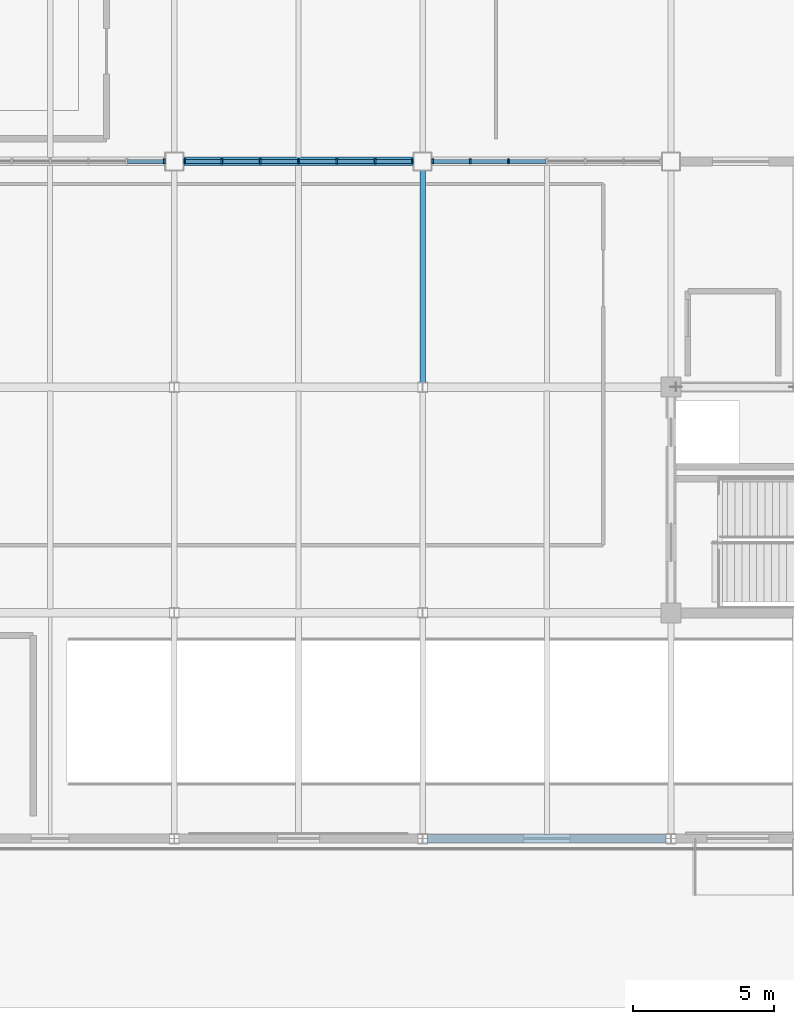
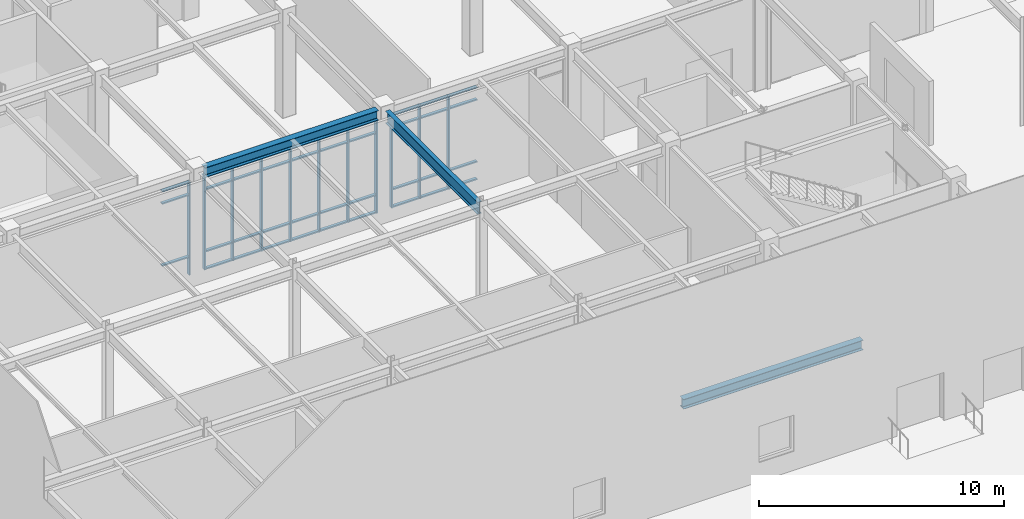
# One storey, part 22 of 119: 50 members, 3 beams, 3 elements without a shape of their own.
"""IFC4 building model written with IfcOpenShell, lengths in metres."""

from ifc_helpers import new_model, si_unit, direction, frame, origin, origin_2d, place, context, subcontext, project, spatial, rectangle, i_section, extrude, material, material_profile, profile_set, type_object, element, aggregate, save


model = new_model("IFC4")

# Units and contexts
model_context = context("Model", 3, precision=1e-05, world=origin(), true_north=direction((0.0, 1.0)))
body_context = subcontext(model_context, "Body", "Model", "MODEL_VIEW")
ifc_project = project(units=[si_unit("LENGTHUNIT", "METRE"), si_unit("AREAUNIT", "SQUARE_METRE"), si_unit("VOLUMEUNIT", "CUBIC_METRE"), si_unit("PLANEANGLEUNIT", "RADIAN"), si_unit("MASSUNIT", "GRAM", prefix="KILO")], contexts=[model_context])

# Site, building, storey
site_placement = place(None, origin())
site = spatial("IfcSite", under=ifc_project, at=site_placement, CompositionType="ELEMENT")
building_placement = place(site_placement, origin())
building = spatial("IfcBuilding", under=site, at=building_placement, Name="Zhaolan Boulevard Law Courts", CompositionType="ELEMENT")
storey_placement = place(building_placement, origin())
storey = spatial("IfcBuildingStorey", under=building, at=storey_placement, Name="L00", CompositionType="ELEMENT", Elevation=0.0)

# Curtain wall, member
ifc_material_1 = material(Name="Thermally broken aluminium and low-E glazing", Category="aluminium")
curtain_wall_type_1 = type_object("IfcCurtainWallType", Name="CURTAIN WALL M2", PredefinedType="USERDEFINED", material=ifc_material_1)
curtain_wall_1_placement = place(storey_placement, origin())
curtain_wall_1 = element("IfcCurtainWall", 1, at=curtain_wall_1_placement, inside=storey, type_object=curtain_wall_type_1, Name="Curtain Wall CW-L00-002", ObjectType="CURTAIN WALL", PredefinedType="USERDEFINED")
ifc_material_2 = material(Name="Fluorocarbon-coated aluminium 6063-T6", Category="aluminium")
ifc_material_profile_1 = material_profile(ifc_material_2, rectangle(XDim=0.179931640625, YDim=0.06494140625, at=origin_2d()), Name="AL65x180")
ifc_profile_set_1 = profile_set([ifc_material_profile_1], Name="Fluorocarbon-coated aluminium 6063-T6")
member_type_1 = type_object("IfcMemberType", Name="CWMULLION 65X180", PredefinedType="MULLION", material=ifc_profile_set_1)
member_1_placement = place(storey_placement, frame((17.240478515625, 30.0, 0.0), z_axis=(0.0, 0.0, 1.0), x_axis=(0.0, -1.0, 0.0)))
member_1 = element("IfcMember", 2, at=member_1_placement, type_object=member_type_1, Name="CW-L00-002 mullion 1", PredefinedType="MULLION", context=body_context, shape_type="SweptSolid", body=[
    extrude(rectangle(XDim=0.179931640625, YDim=0.06494140625, at=origin_2d()), origin(), (0.0, 0.0, 1.0), 4.635009765625),
])

# Curtain wall, members
ifc_material_3 = material(Name="Thermally broken aluminium and low-E glazing", Category="aluminium")
curtain_wall_type_2 = type_object("IfcCurtainWallType", Name="CURTAIN WALL M3", PredefinedType="USERDEFINED", material=ifc_material_3)
curtain_wall_2_placement = place(storey_placement, origin())
curtain_wall_2 = element("IfcCurtainWall", 3, at=curtain_wall_2_placement, inside=storey, type_object=curtain_wall_type_2, Name="Curtain Wall CW-L00-003", ObjectType="CURTAIN WALL", PredefinedType="USERDEFINED")
member_2_placement = place(storey_placement, frame((26.04052734375, 30.0, 0.0), z_axis=(0.0, 0.0, 1.0), x_axis=(0.0, -1.0, 0.0)))
member_2 = element("IfcMember", 4, at=member_2_placement, type_object=member_type_1, Name="CW-L00-003 mullion 1", PredefinedType="MULLION", context=body_context, shape_type="SweptSolid", body=[
    extrude(rectangle(XDim=0.179931640625, YDim=0.06494140625, at=origin_2d()), origin(), (0.0, 0.0, 1.0), 4.635009765625),
])
member_3_placement = place(storey_placement, frame((24.71533203125, 30.0, 0.0), z_axis=(0.0, 0.0, 1.0), x_axis=(0.0, -1.0, 0.0)))
member_3 = element("IfcMember", 5, at=member_3_placement, type_object=member_type_1, Name="CW-L00-003 mullion 2", PredefinedType="MULLION", context=body_context, shape_type="SweptSolid", body=[
    extrude(rectangle(XDim=0.179931640625, YDim=0.06494140625, at=origin_2d()), origin(), (0.0, 0.0, 1.0), 4.635009765625),
])
member_4_placement = place(storey_placement, frame((23.357666015625, 30.0, 0.0), z_axis=(0.0, 0.0, 1.0), x_axis=(0.0, -1.0, 0.0)))
member_4 = element("IfcMember", 6, at=member_4_placement, type_object=member_type_1, Name="CW-L00-003 mullion 3", PredefinedType="MULLION", context=body_context, shape_type="SweptSolid", body=[
    extrude(rectangle(XDim=0.179931640625, YDim=0.06494140625, at=origin_2d()), origin(), (0.0, 0.0, 1.0), 4.635009765625),
])
member_5_placement = place(storey_placement, frame((22.0, 30.0, 0.0), z_axis=(0.0, 0.0, 1.0), x_axis=(0.0, -1.0, 0.0)))
member_5 = element("IfcMember", 7, at=member_5_placement, type_object=member_type_1, Name="CW-L00-003 mullion 4", PredefinedType="MULLION", context=body_context, shape_type="SweptSolid", body=[
    extrude(rectangle(XDim=0.179931640625, YDim=0.06494140625, at=origin_2d()), origin(), (0.0, 0.0, 1.0), 4.635009765625),
])
member_6_placement = place(storey_placement, frame((20.642333984375, 30.0, 0.0), z_axis=(0.0, 0.0, 1.0), x_axis=(0.0, -1.0, 0.0)))
member_6 = element("IfcMember", 8, at=member_6_placement, type_object=member_type_1, Name="CW-L00-003 mullion 5", PredefinedType="MULLION", context=body_context, shape_type="SweptSolid", body=[
    extrude(rectangle(XDim=0.179931640625, YDim=0.06494140625, at=origin_2d()), origin(), (0.0, 0.0, 1.0), 4.635009765625),
])
member_7_placement = place(storey_placement, frame((19.28466796875, 30.0, 0.0), z_axis=(0.0, 0.0, 1.0), x_axis=(0.0, -1.0, 0.0)))
member_7 = element("IfcMember", 9, at=member_7_placement, type_object=member_type_1, Name="CW-L00-003 mullion 6", PredefinedType="MULLION", context=body_context, shape_type="SweptSolid", body=[
    extrude(rectangle(XDim=0.179931640625, YDim=0.06494140625, at=origin_2d()), origin(), (0.0, 0.0, 1.0), 4.635009765625),
])
member_8_placement = place(storey_placement, frame((17.95947265625, 30.0, 0.0), z_axis=(0.0, 0.0, 1.0), x_axis=(0.0, -1.0, 0.0)))
member_8 = element("IfcMember", 10, at=member_8_placement, type_object=member_type_1, Name="CW-L00-003 mullion 7", PredefinedType="MULLION", context=body_context, shape_type="SweptSolid", body=[
    extrude(rectangle(XDim=0.179931640625, YDim=0.06494140625, at=origin_2d()), origin(), (0.0, 0.0, 1.0), 4.635009765625),
])

ifc_material_4 = material(Name="Thermally broken aluminium and low-E glazing", Category="aluminium")
curtain_wall_type_3 = type_object("IfcCurtainWallType", Name="CURTAIN WALL M4", PredefinedType="USERDEFINED", material=ifc_material_4)
curtain_wall_3_placement = place(storey_placement, origin())
curtain_wall_3 = element("IfcCurtainWall", 11, at=curtain_wall_3_placement, inside=storey, type_object=curtain_wall_type_3, Name="Curtain Wall CW-L00-004", ObjectType="CURTAIN WALL", PredefinedType="USERDEFINED")
member_9_placement = place(storey_placement, frame((29.4423828125, 30.0, 0.0), z_axis=(0.0, 0.0, 1.0), x_axis=(0.0, -1.0, 0.0)))
member_9 = element("IfcMember", 12, at=member_9_placement, type_object=member_type_1, Name="CW-L00-004 mullion 5", PredefinedType="MULLION", context=body_context, shape_type="SweptSolid", body=[
    extrude(rectangle(XDim=0.179931640625, YDim=0.06494140625, at=origin_2d()), origin(), (0.0, 0.0, 1.0), 4.635009765625),
])
member_10_placement = place(storey_placement, frame((28.084716796875, 30.0, 0.0), z_axis=(0.0, 0.0, 1.0), x_axis=(0.0, -1.0, 0.0)))
member_10 = element("IfcMember", 13, at=member_10_placement, type_object=member_type_1, Name="CW-L00-004 mullion 6", PredefinedType="MULLION", context=body_context, shape_type="SweptSolid", body=[
    extrude(rectangle(XDim=0.179931640625, YDim=0.06494140625, at=origin_2d()), origin(), (0.0, 0.0, 1.0), 4.635009765625),
])
member_11_placement = place(storey_placement, frame((26.759521484375, 30.0, 0.0), z_axis=(0.0, 0.0, 1.0), x_axis=(0.0, -1.0, 0.0)))
member_11 = element("IfcMember", 14, at=member_11_placement, type_object=member_type_1, Name="CW-L00-004 mullion 7", PredefinedType="MULLION", context=body_context, shape_type="SweptSolid", body=[
    extrude(rectangle(XDim=0.179931640625, YDim=0.06494140625, at=origin_2d()), origin(), (0.0, 0.0, 1.0), 4.635009765625),
])

# Member
ifc_material_5 = material(Name="Fluorocarbon-coated aluminium 6063-T6", Category="aluminium")
ifc_material_profile_2 = material_profile(ifc_material_5, rectangle(XDim=0.139892578125, YDim=0.06494140625, at=origin_2d()), Name="AL65x140")
ifc_profile_set_2 = profile_set([ifc_material_profile_2], Name="Fluorocarbon-coated aluminium 6063-T6")
member_type_2 = type_object("IfcMemberType", Name="CWTRANSOM 65X140", PredefinedType="USERDEFINED", material=ifc_profile_set_2)
member_12_placement = place(storey_placement, frame((17.2080078125, 30.0, 0.89990234375), z_axis=(-1.0, 0.0, 0.0), x_axis=(0.0, -1.0, 0.0)))
member_12 = element("IfcMember", 15, at=member_12_placement, type_object=member_type_2, Name="CW-L00-002 transom 1.2", ObjectType="TRANSOM", PredefinedType="USERDEFINED", context=body_context, shape_type="SweptSolid", body=[
    extrude(rectangle(XDim=0.139892578125, YDim=0.06494140625, at=origin_2d()), origin(), (0.0, 0.0, 1.0), 1.26025390625),
])

member_13_placement = place(storey_placement, frame((17.2080078125, 30.0, 3.985107421875), z_axis=(-1.0, 0.0, 0.0), x_axis=(0.0, -1.0, 0.0)))
member_13 = element("IfcMember", 16, at=member_13_placement, type_object=member_type_2, Name="CW-L00-002 transom 1.3", ObjectType="TRANSOM", PredefinedType="USERDEFINED", context=body_context, shape_type="SweptSolid", body=[
    extrude(rectangle(XDim=0.139892578125, YDim=0.06494140625, at=origin_2d()), origin(), (0.0, 0.0, 1.0), 1.26025390625),
])

member_14_placement = place(storey_placement, frame((17.2080078125, 30.0, 4.6025390625), z_axis=(-1.0, 0.0, 0.0), x_axis=(0.0, -1.0, 0.0)))
member_14 = element("IfcMember", 17, at=member_14_placement, type_object=member_type_2, Name="CW-L00-002 transom 1.4", ObjectType="TRANSOM", PredefinedType="USERDEFINED", context=body_context, shape_type="SweptSolid", body=[
    extrude(rectangle(XDim=0.139892578125, YDim=0.06494140625, at=origin_2d()), origin(), (0.0, 0.0, 1.0), 1.26025390625),
])

aggregate(curtain_wall_1, [member_1, member_12, member_13, member_14])

member_15_placement = place(storey_placement, frame((26.008056640625, 30.0, 0.032470703125), z_axis=(-1.0, 0.0, 0.0), x_axis=(0.0, -1.0, 0.0)))
member_15 = element("IfcMember", 18, at=member_15_placement, type_object=member_type_2, Name="CW-L00-003 transom 1.1", ObjectType="TRANSOM", PredefinedType="USERDEFINED", context=body_context, shape_type="SweptSolid", body=[
    extrude(rectangle(XDim=0.139892578125, YDim=0.06494140625, at=origin_2d()), origin(), (0.0, 0.0, 1.0), 1.26025390625),
])

member_16_placement = place(storey_placement, frame((26.008056640625, 30.0, 0.89990234375), z_axis=(-1.0, 0.0, 0.0), x_axis=(0.0, -1.0, 0.0)))
member_16 = element("IfcMember", 19, at=member_16_placement, type_object=member_type_2, Name="CW-L00-003 transom 1.2", ObjectType="TRANSOM", PredefinedType="USERDEFINED", context=body_context, shape_type="SweptSolid", body=[
    extrude(rectangle(XDim=0.139892578125, YDim=0.06494140625, at=origin_2d()), origin(), (0.0, 0.0, 1.0), 1.26025390625),
])

member_17_placement = place(storey_placement, frame((26.008056640625, 30.0, 3.985107421875), z_axis=(-1.0, 0.0, 0.0), x_axis=(0.0, -1.0, 0.0)))
member_17 = element("IfcMember", 20, at=member_17_placement, type_object=member_type_2, Name="CW-L00-003 transom 1.3", ObjectType="TRANSOM", PredefinedType="USERDEFINED", context=body_context, shape_type="SweptSolid", body=[
    extrude(rectangle(XDim=0.139892578125, YDim=0.06494140625, at=origin_2d()), origin(), (0.0, 0.0, 1.0), 1.26025390625),
])

member_18_placement = place(storey_placement, frame((26.008056640625, 30.0, 4.6025390625), z_axis=(-1.0, 0.0, 0.0), x_axis=(0.0, -1.0, 0.0)))
member_18 = element("IfcMember", 21, at=member_18_placement, type_object=member_type_2, Name="CW-L00-003 transom 1.4", ObjectType="TRANSOM", PredefinedType="USERDEFINED", context=body_context, shape_type="SweptSolid", body=[
    extrude(rectangle(XDim=0.139892578125, YDim=0.06494140625, at=origin_2d()), origin(), (0.0, 0.0, 1.0), 1.26025390625),
])

member_19_placement = place(storey_placement, frame((24.682861328125, 30.0, 0.032470703125), z_axis=(-1.0, 0.0, 0.0), x_axis=(0.0, -1.0, 0.0)))
member_19 = element("IfcMember", 22, at=member_19_placement, type_object=member_type_2, Name="CW-L00-003 transom 2.1", ObjectType="TRANSOM", PredefinedType="USERDEFINED", context=body_context, shape_type="SweptSolid", body=[
    extrude(rectangle(XDim=0.139892578125, YDim=0.06494140625, at=origin_2d()), origin(), (0.0, 0.0, 1.0), 1.292724609375),
])

member_20_placement = place(storey_placement, frame((24.682861328125, 30.0, 0.89990234375), z_axis=(-1.0, 0.0, 0.0), x_axis=(0.0, -1.0, 0.0)))
member_20 = element("IfcMember", 23, at=member_20_placement, type_object=member_type_2, Name="CW-L00-003 transom 2.2", ObjectType="TRANSOM", PredefinedType="USERDEFINED", context=body_context, shape_type="SweptSolid", body=[
    extrude(rectangle(XDim=0.139892578125, YDim=0.06494140625, at=origin_2d()), origin(), (0.0, 0.0, 1.0), 1.292724609375),
])

member_21_placement = place(storey_placement, frame((24.682861328125, 30.0, 3.985107421875), z_axis=(-1.0, 0.0, 0.0), x_axis=(0.0, -1.0, 0.0)))
member_21 = element("IfcMember", 24, at=member_21_placement, type_object=member_type_2, Name="CW-L00-003 transom 2.3", ObjectType="TRANSOM", PredefinedType="USERDEFINED", context=body_context, shape_type="SweptSolid", body=[
    extrude(rectangle(XDim=0.139892578125, YDim=0.06494140625, at=origin_2d()), origin(), (0.0, 0.0, 1.0), 1.292724609375),
])

member_22_placement = place(storey_placement, frame((24.682861328125, 30.0, 4.6025390625), z_axis=(-1.0, 0.0, 0.0), x_axis=(0.0, -1.0, 0.0)))
member_22 = element("IfcMember", 25, at=member_22_placement, type_object=member_type_2, Name="CW-L00-003 transom 2.4", ObjectType="TRANSOM", PredefinedType="USERDEFINED", context=body_context, shape_type="SweptSolid", body=[
    extrude(rectangle(XDim=0.139892578125, YDim=0.06494140625, at=origin_2d()), origin(), (0.0, 0.0, 1.0), 1.292724609375),
])

member_23_placement = place(storey_placement, frame((23.3251953125, 30.0, 0.032470703125), z_axis=(-1.0, 0.0, 0.0), x_axis=(0.0, -1.0, 0.0)))
member_23 = element("IfcMember", 26, at=member_23_placement, type_object=member_type_2, Name="CW-L00-003 transom 3.1", ObjectType="TRANSOM", PredefinedType="USERDEFINED", context=body_context, shape_type="SweptSolid", body=[
    extrude(rectangle(XDim=0.139892578125, YDim=0.06494140625, at=origin_2d()), origin(), (0.0, 0.0, 1.0), 1.292724609375),
])

member_24_placement = place(storey_placement, frame((23.3251953125, 30.0, 0.89990234375), z_axis=(-1.0, 0.0, 0.0), x_axis=(0.0, -1.0, 0.0)))
member_24 = element("IfcMember", 27, at=member_24_placement, type_object=member_type_2, Name="CW-L00-003 transom 3.2", ObjectType="TRANSOM", PredefinedType="USERDEFINED", context=body_context, shape_type="SweptSolid", body=[
    extrude(rectangle(XDim=0.139892578125, YDim=0.06494140625, at=origin_2d()), origin(), (0.0, 0.0, 1.0), 1.292724609375),
])

member_25_placement = place(storey_placement, frame((23.3251953125, 30.0, 3.985107421875), z_axis=(-1.0, 0.0, 0.0), x_axis=(0.0, -1.0, 0.0)))
member_25 = element("IfcMember", 28, at=member_25_placement, type_object=member_type_2, Name="CW-L00-003 transom 3.3", ObjectType="TRANSOM", PredefinedType="USERDEFINED", context=body_context, shape_type="SweptSolid", body=[
    extrude(rectangle(XDim=0.139892578125, YDim=0.06494140625, at=origin_2d()), origin(), (0.0, 0.0, 1.0), 1.292724609375),
])

member_26_placement = place(storey_placement, frame((23.3251953125, 30.0, 4.6025390625), z_axis=(-1.0, 0.0, 0.0), x_axis=(0.0, -1.0, 0.0)))
member_26 = element("IfcMember", 29, at=member_26_placement, type_object=member_type_2, Name="CW-L00-003 transom 3.4", ObjectType="TRANSOM", PredefinedType="USERDEFINED", context=body_context, shape_type="SweptSolid", body=[
    extrude(rectangle(XDim=0.139892578125, YDim=0.06494140625, at=origin_2d()), origin(), (0.0, 0.0, 1.0), 1.292724609375),
])

member_27_placement = place(storey_placement, frame((21.967529296875, 30.0, 0.032470703125), z_axis=(-1.0, 0.0, 0.0), x_axis=(0.0, -1.0, 0.0)))
member_27 = element("IfcMember", 30, at=member_27_placement, type_object=member_type_2, Name="CW-L00-003 transom 4.1", ObjectType="TRANSOM", PredefinedType="USERDEFINED", context=body_context, shape_type="SweptSolid", body=[
    extrude(rectangle(XDim=0.139892578125, YDim=0.06494140625, at=origin_2d()), origin(), (0.0, 0.0, 1.0), 1.292724609375),
])

member_28_placement = place(storey_placement, frame((21.967529296875, 30.0, 0.89990234375), z_axis=(-1.0, 0.0, 0.0), x_axis=(0.0, -1.0, 0.0)))
member_28 = element("IfcMember", 31, at=member_28_placement, type_object=member_type_2, Name="CW-L00-003 transom 4.2", ObjectType="TRANSOM", PredefinedType="USERDEFINED", context=body_context, shape_type="SweptSolid", body=[
    extrude(rectangle(XDim=0.139892578125, YDim=0.06494140625, at=origin_2d()), origin(), (0.0, 0.0, 1.0), 1.292724609375),
])

member_29_placement = place(storey_placement, frame((21.967529296875, 30.0, 3.985107421875), z_axis=(-1.0, 0.0, 0.0), x_axis=(0.0, -1.0, 0.0)))
member_29 = element("IfcMember", 32, at=member_29_placement, type_object=member_type_2, Name="CW-L00-003 transom 4.3", ObjectType="TRANSOM", PredefinedType="USERDEFINED", context=body_context, shape_type="SweptSolid", body=[
    extrude(rectangle(XDim=0.139892578125, YDim=0.06494140625, at=origin_2d()), origin(), (0.0, 0.0, 1.0), 1.292724609375),
])

member_30_placement = place(storey_placement, frame((21.967529296875, 30.0, 4.6025390625), z_axis=(-1.0, 0.0, 0.0), x_axis=(0.0, -1.0, 0.0)))
member_30 = element("IfcMember", 33, at=member_30_placement, type_object=member_type_2, Name="CW-L00-003 transom 4.4", ObjectType="TRANSOM", PredefinedType="USERDEFINED", context=body_context, shape_type="SweptSolid", body=[
    extrude(rectangle(XDim=0.139892578125, YDim=0.06494140625, at=origin_2d()), origin(), (0.0, 0.0, 1.0), 1.292724609375),
])

member_31_placement = place(storey_placement, frame((20.60986328125, 30.0, 0.032470703125), z_axis=(-1.0, 0.0, 0.0), x_axis=(0.0, -1.0, 0.0)))
member_31 = element("IfcMember", 34, at=member_31_placement, type_object=member_type_2, Name="CW-L00-003 transom 5.1", ObjectType="TRANSOM", PredefinedType="USERDEFINED", context=body_context, shape_type="SweptSolid", body=[
    extrude(rectangle(XDim=0.139892578125, YDim=0.06494140625, at=origin_2d()), origin(), (0.0, 0.0, 1.0), 1.292724609375),
])

member_32_placement = place(storey_placement, frame((20.60986328125, 30.0, 0.89990234375), z_axis=(-1.0, 0.0, 0.0), x_axis=(0.0, -1.0, 0.0)))
member_32 = element("IfcMember", 35, at=member_32_placement, type_object=member_type_2, Name="CW-L00-003 transom 5.2", ObjectType="TRANSOM", PredefinedType="USERDEFINED", context=body_context, shape_type="SweptSolid", body=[
    extrude(rectangle(XDim=0.139892578125, YDim=0.06494140625, at=origin_2d()), origin(), (0.0, 0.0, 1.0), 1.292724609375),
])

member_33_placement = place(storey_placement, frame((20.60986328125, 30.0, 3.985107421875), z_axis=(-1.0, 0.0, 0.0), x_axis=(0.0, -1.0, 0.0)))
member_33 = element("IfcMember", 36, at=member_33_placement, type_object=member_type_2, Name="CW-L00-003 transom 5.3", ObjectType="TRANSOM", PredefinedType="USERDEFINED", context=body_context, shape_type="SweptSolid", body=[
    extrude(rectangle(XDim=0.139892578125, YDim=0.06494140625, at=origin_2d()), origin(), (0.0, 0.0, 1.0), 1.292724609375),
])

member_34_placement = place(storey_placement, frame((20.60986328125, 30.0, 4.6025390625), z_axis=(-1.0, 0.0, 0.0), x_axis=(0.0, -1.0, 0.0)))
member_34 = element("IfcMember", 37, at=member_34_placement, type_object=member_type_2, Name="CW-L00-003 transom 5.4", ObjectType="TRANSOM", PredefinedType="USERDEFINED", context=body_context, shape_type="SweptSolid", body=[
    extrude(rectangle(XDim=0.139892578125, YDim=0.06494140625, at=origin_2d()), origin(), (0.0, 0.0, 1.0), 1.292724609375),
])

member_35_placement = place(storey_placement, frame((19.252197265625, 30.0, 0.032470703125), z_axis=(-1.0, 0.0, 0.0), x_axis=(0.0, -1.0, 0.0)))
member_35 = element("IfcMember", 38, at=member_35_placement, type_object=member_type_2, Name="CW-L00-003 transom 6.1", ObjectType="TRANSOM", PredefinedType="USERDEFINED", context=body_context, shape_type="SweptSolid", body=[
    extrude(rectangle(XDim=0.139892578125, YDim=0.06494140625, at=origin_2d()), origin(), (0.0, 0.0, 1.0), 1.26025390625),
])

member_36_placement = place(storey_placement, frame((19.252197265625, 30.0, 0.89990234375), z_axis=(-1.0, 0.0, 0.0), x_axis=(0.0, -1.0, 0.0)))
member_36 = element("IfcMember", 39, at=member_36_placement, type_object=member_type_2, Name="CW-L00-003 transom 6.2", ObjectType="TRANSOM", PredefinedType="USERDEFINED", context=body_context, shape_type="SweptSolid", body=[
    extrude(rectangle(XDim=0.139892578125, YDim=0.06494140625, at=origin_2d()), origin(), (0.0, 0.0, 1.0), 1.26025390625),
])

member_37_placement = place(storey_placement, frame((19.252197265625, 30.0, 3.985107421875), z_axis=(-1.0, 0.0, 0.0), x_axis=(0.0, -1.0, 0.0)))
member_37 = element("IfcMember", 40, at=member_37_placement, type_object=member_type_2, Name="CW-L00-003 transom 6.3", ObjectType="TRANSOM", PredefinedType="USERDEFINED", context=body_context, shape_type="SweptSolid", body=[
    extrude(rectangle(XDim=0.139892578125, YDim=0.06494140625, at=origin_2d()), origin(), (0.0, 0.0, 1.0), 1.26025390625),
])

member_38_placement = place(storey_placement, frame((19.252197265625, 30.0, 4.6025390625), z_axis=(-1.0, 0.0, 0.0), x_axis=(0.0, -1.0, 0.0)))
member_38 = element("IfcMember", 41, at=member_38_placement, type_object=member_type_2, Name="CW-L00-003 transom 6.4", ObjectType="TRANSOM", PredefinedType="USERDEFINED", context=body_context, shape_type="SweptSolid", body=[
    extrude(rectangle(XDim=0.139892578125, YDim=0.06494140625, at=origin_2d()), origin(), (0.0, 0.0, 1.0), 1.26025390625),
])

aggregate(curtain_wall_2, [member_2, member_3, member_4, member_5, member_6, member_7, member_8, member_15, member_16, member_17, member_18, member_19, member_20, member_21, member_22, member_23, member_24, member_25, member_26, member_27, member_28, member_29, member_30, member_31, member_32, member_33, member_34, member_35, member_36, member_37, member_38])

member_39_placement = place(storey_placement, frame((30.767578125, 30.0, 0.032470703125), z_axis=(-1.0, 0.0, 0.0), x_axis=(0.0, -1.0, 0.0)))
member_39 = element("IfcMember", 42, at=member_39_placement, type_object=member_type_2, Name="CW-L00-004 transom 4.1", ObjectType="TRANSOM", PredefinedType="USERDEFINED", context=body_context, shape_type="SweptSolid", body=[
    extrude(rectangle(XDim=0.139892578125, YDim=0.06494140625, at=origin_2d()), origin(), (0.0, 0.0, 1.0), 1.292724609375),
])

member_40_placement = place(storey_placement, frame((30.767578125, 30.0, 0.89990234375), z_axis=(-1.0, 0.0, 0.0), x_axis=(0.0, -1.0, 0.0)))
member_40 = element("IfcMember", 43, at=member_40_placement, type_object=member_type_2, Name="CW-L00-004 transom 4.2", ObjectType="TRANSOM", PredefinedType="USERDEFINED", context=body_context, shape_type="SweptSolid", body=[
    extrude(rectangle(XDim=0.139892578125, YDim=0.06494140625, at=origin_2d()), origin(), (0.0, 0.0, 1.0), 1.292724609375),
])

member_41_placement = place(storey_placement, frame((30.767578125, 30.0, 3.985107421875), z_axis=(-1.0, 0.0, 0.0), x_axis=(0.0, -1.0, 0.0)))
member_41 = element("IfcMember", 44, at=member_41_placement, type_object=member_type_2, Name="CW-L00-004 transom 4.3", ObjectType="TRANSOM", PredefinedType="USERDEFINED", context=body_context, shape_type="SweptSolid", body=[
    extrude(rectangle(XDim=0.139892578125, YDim=0.06494140625, at=origin_2d()), origin(), (0.0, 0.0, 1.0), 1.292724609375),
])

member_42_placement = place(storey_placement, frame((30.767578125, 30.0, 4.6025390625), z_axis=(-1.0, 0.0, 0.0), x_axis=(0.0, -1.0, 0.0)))
member_42 = element("IfcMember", 45, at=member_42_placement, type_object=member_type_2, Name="CW-L00-004 transom 4.4", ObjectType="TRANSOM", PredefinedType="USERDEFINED", context=body_context, shape_type="SweptSolid", body=[
    extrude(rectangle(XDim=0.139892578125, YDim=0.06494140625, at=origin_2d()), origin(), (0.0, 0.0, 1.0), 1.292724609375),
])

member_43_placement = place(storey_placement, frame((29.409912109375, 30.0, 0.032470703125), z_axis=(-1.0, 0.0, 0.0), x_axis=(0.0, -1.0, 0.0)))
member_43 = element("IfcMember", 46, at=member_43_placement, type_object=member_type_2, Name="CW-L00-004 transom 5.1", ObjectType="TRANSOM", PredefinedType="USERDEFINED", context=body_context, shape_type="SweptSolid", body=[
    extrude(rectangle(XDim=0.139892578125, YDim=0.06494140625, at=origin_2d()), origin(), (0.0, 0.0, 1.0), 1.292724609375),
])

member_44_placement = place(storey_placement, frame((29.409912109375, 30.0, 0.89990234375), z_axis=(-1.0, 0.0, 0.0), x_axis=(0.0, -1.0, 0.0)))
member_44 = element("IfcMember", 47, at=member_44_placement, type_object=member_type_2, Name="CW-L00-004 transom 5.2", ObjectType="TRANSOM", PredefinedType="USERDEFINED", context=body_context, shape_type="SweptSolid", body=[
    extrude(rectangle(XDim=0.139892578125, YDim=0.06494140625, at=origin_2d()), origin(), (0.0, 0.0, 1.0), 1.292724609375),
])

member_45_placement = place(storey_placement, frame((29.409912109375, 30.0, 3.985107421875), z_axis=(-1.0, 0.0, 0.0), x_axis=(0.0, -1.0, 0.0)))
member_45 = element("IfcMember", 48, at=member_45_placement, type_object=member_type_2, Name="CW-L00-004 transom 5.3", ObjectType="TRANSOM", PredefinedType="USERDEFINED", context=body_context, shape_type="SweptSolid", body=[
    extrude(rectangle(XDim=0.139892578125, YDim=0.06494140625, at=origin_2d()), origin(), (0.0, 0.0, 1.0), 1.292724609375),
])

member_46_placement = place(storey_placement, frame((29.409912109375, 30.0, 4.6025390625), z_axis=(-1.0, 0.0, 0.0), x_axis=(0.0, -1.0, 0.0)))
member_46 = element("IfcMember", 49, at=member_46_placement, type_object=member_type_2, Name="CW-L00-004 transom 5.4", ObjectType="TRANSOM", PredefinedType="USERDEFINED", context=body_context, shape_type="SweptSolid", body=[
    extrude(rectangle(XDim=0.139892578125, YDim=0.06494140625, at=origin_2d()), origin(), (0.0, 0.0, 1.0), 1.292724609375),
])

member_47_placement = place(storey_placement, frame((28.05224609375, 30.0, 0.032470703125), z_axis=(-1.0, 0.0, 0.0), x_axis=(0.0, -1.0, 0.0)))
member_47 = element("IfcMember", 50, at=member_47_placement, type_object=member_type_2, Name="CW-L00-004 transom 6.1", ObjectType="TRANSOM", PredefinedType="USERDEFINED", context=body_context, shape_type="SweptSolid", body=[
    extrude(rectangle(XDim=0.139892578125, YDim=0.06494140625, at=origin_2d()), origin(), (0.0, 0.0, 1.0), 1.26025390625),
])

member_48_placement = place(storey_placement, frame((28.05224609375, 30.0, 0.89990234375), z_axis=(-1.0, 0.0, 0.0), x_axis=(0.0, -1.0, 0.0)))
member_48 = element("IfcMember", 51, at=member_48_placement, type_object=member_type_2, Name="CW-L00-004 transom 6.2", ObjectType="TRANSOM", PredefinedType="USERDEFINED", context=body_context, shape_type="SweptSolid", body=[
    extrude(rectangle(XDim=0.139892578125, YDim=0.06494140625, at=origin_2d()), origin(), (0.0, 0.0, 1.0), 1.26025390625),
])

member_49_placement = place(storey_placement, frame((28.05224609375, 30.0, 3.985107421875), z_axis=(-1.0, 0.0, 0.0), x_axis=(0.0, -1.0, 0.0)))
member_49 = element("IfcMember", 52, at=member_49_placement, type_object=member_type_2, Name="CW-L00-004 transom 6.3", ObjectType="TRANSOM", PredefinedType="USERDEFINED", context=body_context, shape_type="SweptSolid", body=[
    extrude(rectangle(XDim=0.139892578125, YDim=0.06494140625, at=origin_2d()), origin(), (0.0, 0.0, 1.0), 1.26025390625),
])

member_50_placement = place(storey_placement, frame((28.05224609375, 30.0, 4.6025390625), z_axis=(-1.0, 0.0, 0.0), x_axis=(0.0, -1.0, 0.0)))
member_50 = element("IfcMember", 53, at=member_50_placement, type_object=member_type_2, Name="CW-L00-004 transom 6.4", ObjectType="TRANSOM", PredefinedType="USERDEFINED", context=body_context, shape_type="SweptSolid", body=[
    extrude(rectangle(XDim=0.139892578125, YDim=0.06494140625, at=origin_2d()), origin(), (0.0, 0.0, 1.0), 1.26025390625),
])

aggregate(curtain_wall_3, [member_9, member_10, member_11, member_39, member_40, member_41, member_42, member_43, member_44, member_45, member_46, member_47, member_48, member_49, member_50])

# Beams
ifc_material_6 = material(Name="Structural steel Q355B", Category="steel")
ifc_material_profile_3 = material_profile(ifc_material_6, i_section(OverallWidth=0.300048828125, OverallDepth=0.488037109375, WebThickness=0.010986328125, FlangeThickness=0.01806640625, FilletRadius=0.02197265625, at=origin_2d()), Name="HM488x300")
ifc_profile_set_3 = profile_set([ifc_material_profile_3], Name="Structural steel Q355B")
beam_type_1 = type_object("IfcBeamType", Name="GIRDER HM500", PredefinedType="BEAM", material=ifc_profile_set_3)
beam_1_placement = place(storey_placement, frame((26.571044921875, 6.0, 4.89404296875), z_axis=(1.0, 0.0, 0.0), x_axis=(0.0, 1.0, 0.0)))
element("IfcBeam", 54, at=beam_1_placement, inside=storey, type_object=beam_type_1, Name="Beam BX-L01-4-5-B", PredefinedType="BEAM", context=body_context, shape_type="SweptSolid", body=[
    extrude(i_section(OverallWidth=0.300048828125, OverallDepth=0.488037109375, WebThickness=0.010986328125, FlangeThickness=0.01806640625, FilletRadius=0.02197265625, at=origin_2d()), origin(), (0.0, 0.0, 1.0), 8.4580078125),
])
beam_2_placement = place(storey_placement, frame((17.9208984375, 30.0, 4.89404296875), z_axis=(1.0, 0.0, 0.0), x_axis=(0.0, 1.0, 0.0)))
element("IfcBeam", 55, at=beam_2_placement, inside=storey, type_object=beam_type_1, Name="Beam BX-L01-3-4-E", PredefinedType="BEAM", context=body_context, shape_type="SweptSolid", body=[
    extrude(i_section(OverallWidth=0.300048828125, OverallDepth=0.488037109375, WebThickness=0.010986328125, FlangeThickness=0.01806640625, FilletRadius=0.02197265625, at=origin_2d()), origin(), (0.0, 0.0, 1.0), 8.158203125),
])
ifc_material_7 = material(Name="Structural steel Q355B", Category="steel")
ifc_material_profile_4 = material_profile(ifc_material_7, i_section(OverallWidth=0.199951171875, OverallDepth=0.60009765625, WebThickness=0.010986328125, FlangeThickness=0.01708984375, FilletRadius=0.02001953125, at=origin_2d()), Name="HN600x200")
ifc_profile_set_4 = profile_set([ifc_material_profile_4], Name="Structural steel Q355B")
beam_type_2 = type_object("IfcBeamType", Name="GIRDER HN600", PredefinedType="BEAM", material=ifc_profile_set_4)
beam_3_placement = place(storey_placement, frame((26.39990234375, 22.1708984375, 4.837890625), z_axis=(0.0, 1.0, 0.0), x_axis=(-1.0, 0.0, 0.0)))
element("IfcBeam", 56, at=beam_3_placement, inside=storey, type_object=beam_type_2, Name="Beam BY-L01-4-D-E", PredefinedType="BEAM", context=body_context, shape_type="SweptSolid", body=[
    extrude(i_section(OverallWidth=0.199951171875, OverallDepth=0.60009765625, WebThickness=0.010986328125, FlangeThickness=0.01708984375, FilletRadius=0.02001953125, at=origin_2d()), origin(), (0.0, 0.0, 1.0), 7.508056640625),
])

save(model, "model.ifc")
